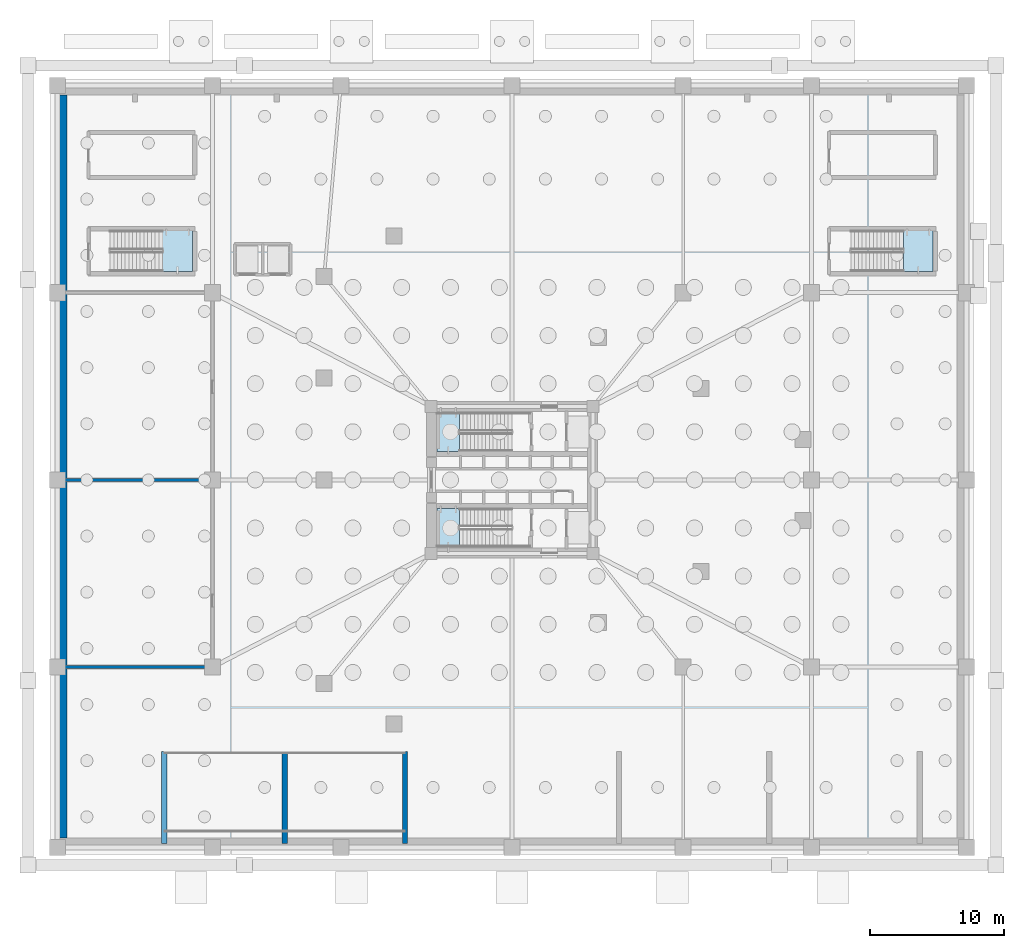
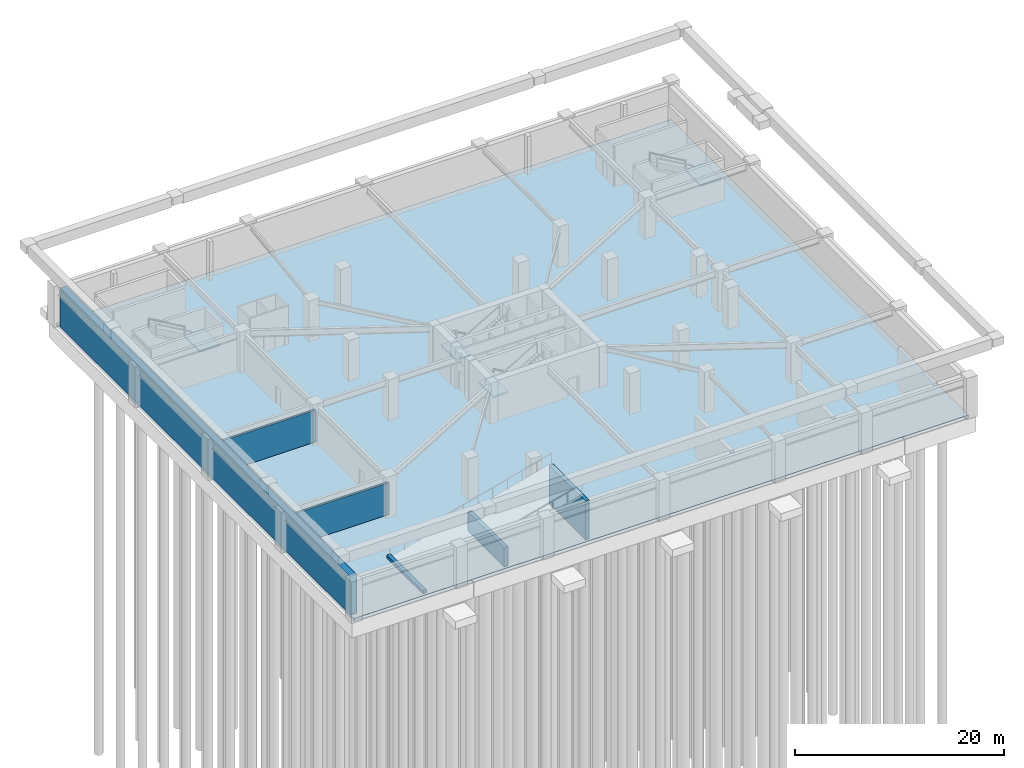
# One storey, part 4 of 14: 6 walls, 5 slabs, 4 elements without a shape of their own.
"""IFC4 building model written with IfcOpenShell, lengths in metres."""

from ifc_helpers import new_model, si_unit, direction, frame, frame_2d, origin, place, context, subcontext, project, spatial, polyline, rectangle, outline, extrude, material, layer, layer_set, type_object, element, aggregate, save


model = new_model("IFC4")

# Units and contexts
model_context = context("Model", 3, precision=1e-05, world=origin(), true_north=direction((0.0, 1.0)))
body_context = subcontext(model_context, "Body", "Model", "MODEL_VIEW")
ifc_project = project(units=[si_unit("LENGTHUNIT", "METRE"), si_unit("AREAUNIT", "SQUARE_METRE"), si_unit("VOLUMEUNIT", "CUBIC_METRE"), si_unit("PLANEANGLEUNIT", "RADIAN"), si_unit("MASSUNIT", "GRAM", prefix="KILO")], contexts=[model_context])

# Site, building, storey
site_placement = place(None, origin())
site = spatial("IfcSite", under=ifc_project, at=site_placement, CompositionType="ELEMENT")
building_placement = place(site_placement, origin())
building = spatial("IfcBuilding", under=site, at=building_placement, Name="Yunling Apex Tower", CompositionType="ELEMENT")
storey_placement = place(building_placement, frame((0.0, 0.0, -9.60009765625)))
storey = spatial("IfcBuildingStorey", under=building, at=storey_placement, Name="B02", CompositionType="ELEMENT", Elevation=-9.60009765625)

# Slab
ifc_material_1 = material(Name="Concrete C50", Category="concrete")
ifc_layer_1 = layer(ifc_material_1, 0.35009765625)
ifc_layer_set_1 = layer_set([ifc_layer_1], Name="Concrete C50")
slab_type_1 = type_object("IfcSlabType", Name="SL-BSM-1", PredefinedType="BASESLAB", material=ifc_layer_set_1)
slab_1_placement = place(storey_placement, frame((0.0, 0.0, -0.349853515625)))
element("IfcSlab", 1, at=slab_1_placement, inside=storey, type_object=slab_type_1, Name="B02 Structural Floor Slab", PredefinedType="BASESLAB", context=body_context, shape_type="SweptSolid", body=[
    extrude(outline(polyline([(-34.0, -27.5), (34.0, -27.5), (34.0, 29.5), (-34.0, 29.5), (-34.0, -27.5)])), origin(), (0.0, 0.0, 1.0), 0.349853515625),
])

# Stair, slab
ifc_material_2 = material(Name="Concrete C40", Category="concrete")
stair_type_1 = type_object("IfcStairType", Name="ST-TWR-1", PredefinedType="HALF_TURN_STAIR", material=ifc_material_2)
stair_1_placement = place(storey_placement, origin())
stair_1 = element("IfcStair", 2, at=stair_1_placement, inside=storey, type_object=stair_type_1, Name="B02 North Core Smokeproof Exit Stair ST-1", PredefinedType="HALF_TURN_STAIR")
ifc_layer_2 = layer(ifc_material_2, 0.195068359375)
ifc_layer_set_2 = layer_set([ifc_layer_2], Name="Concrete C40")
slab_type_2 = type_object("IfcSlabType", Name="SL-LND-1", PredefinedType="LANDING", material=ifc_layer_set_2)
slab_2_placement = place(storey_placement, frame((0.0, 0.0, 2.205078125)))
slab_2 = element("IfcSlab", 3, at=slab_2_placement, type_object=slab_type_2, Name="ST-1 landing 1", PredefinedType="LANDING", context=body_context, shape_type="SweptSolid", body=[
    extrude(outline(polyline([(-3.929931640625, 5.010009765625), (-5.60009765625, 5.010009765625), (-5.60009765625, 2.139892578125), (-3.929931640625, 2.139892578125), (-3.929931640625, 5.010009765625)])), origin(), (0.0, 0.0, 1.0), 0.195068359375),
])
aggregate(stair_1, [slab_2])

stair_2_placement = place(storey_placement, origin())
stair_2 = element("IfcStair", 4, at=stair_2_placement, inside=storey, type_object=stair_type_1, Name="B02 South Core Smokeproof Exit Stair ST-2", PredefinedType="HALF_TURN_STAIR")
slab_3_placement = place(storey_placement, frame((0.0, 0.0, 2.205078125)))
slab_3 = element("IfcSlab", 5, at=slab_3_placement, type_object=slab_type_2, Name="ST-2 landing 1", PredefinedType="LANDING", context=body_context, shape_type="SweptSolid", body=[
    extrude(outline(polyline([(-3.929931640625, -2.139892578125), (-5.60009765625, -2.139892578125), (-5.60009765625, -5.010009765625), (-3.929931640625, -5.010009765625), (-3.929931640625, -2.139892578125)])), origin(), (0.0, 0.0, 1.0), 0.195068359375),
])
aggregate(stair_2, [slab_3])

stair_type_2 = type_object("IfcStairType", Name="ST-POD-1", PredefinedType="HALF_TURN_STAIR", material=ifc_material_2)
stair_3_placement = place(storey_placement, origin())
stair_3 = element("IfcStair", 6, at=stair_3_placement, inside=storey, type_object=stair_type_2, Name="B02 West Podium Smokeproof Stair ST-P1", PredefinedType="HALF_TURN_STAIR")
slab_4_placement = place(storey_placement, frame((0.0, 0.0, 2.205078125)))
slab_4 = element("IfcSlab", 7, at=slab_4_placement, type_object=slab_type_2, Name="ST-P1 landing 1", PredefinedType="LANDING", context=body_context, shape_type="SweptSolid", body=[
    extrude(outline(polyline([(-26.1298828125, 15.60009765625), (-23.89990234375, 15.60009765625), (-23.89990234375, 18.64990234375), (-26.1298828125, 18.64990234375), (-26.1298828125, 15.60009765625)])), origin(), (0.0, 0.0, 1.0), 0.195068359375),
])
aggregate(stair_3, [slab_4])

stair_4_placement = place(storey_placement, origin())
stair_4 = element("IfcStair", 8, at=stair_4_placement, inside=storey, type_object=stair_type_2, Name="B02 East Podium Smokeproof Stair ST-P2", PredefinedType="HALF_TURN_STAIR")
slab_5_placement = place(storey_placement, frame((0.0, 0.0, 2.205078125)))
slab_5 = element("IfcSlab", 9, at=slab_5_placement, type_object=slab_type_2, Name="ST-P2 landing 1", PredefinedType="LANDING", context=body_context, shape_type="SweptSolid", body=[
    extrude(outline(polyline([(29.27001953125, 15.60009765625), (31.5, 15.60009765625), (31.5, 18.64990234375), (29.27001953125, 18.64990234375), (29.27001953125, 15.60009765625)])), origin(), (0.0, 0.0, 1.0), 0.195068359375),
])
aggregate(stair_4, [slab_5])

# Walls
ifc_layer_3 = layer(ifc_material_1, 0.699951171875)
ifc_layer_set_3 = layer_set([ifc_layer_3], Name="Concrete C50")
wall_type_1 = type_object("IfcWallType", Name="WL-BSM-1", PredefinedType="USERDEFINED", material=ifc_layer_set_3)
wall_1_placement = place(storey_placement, frame((-33.64990234375, -26.800048828125, 0.0), z_axis=(0.0, 0.0, 1.0), x_axis=(0.0, 1.0, 0.0)))
element("IfcWall", 10, at=wall_1_placement, inside=storey, type_object=wall_type_1, Name="B02 West Retaining Wall", ObjectType="RETAININGWALL", PredefinedType="USERDEFINED", context=body_context, shape_type="SweptSolid", body=[
    extrude(rectangle(XDim=55.60009765625, YDim=0.699951171875, at=frame_2d((27.800048828125, 0.0))), origin(), (0.0, 0.0, 1.0), 4.5400390625),
])
ifc_layer_4 = layer(ifc_material_1, 0.39990234375)
ifc_layer_set_4 = layer_set([ifc_layer_4], Name="Concrete C50")
wall_type_2 = type_object("IfcWallType", Name="WL-COR-5", PredefinedType="SHEAR", material=ifc_layer_set_4)
wall_2_placement = place(storey_placement, frame((-26.0, -27.199951171875, 0.0), z_axis=(0.0, 0.0, 1.0), x_axis=(0.0, 1.0, 0.0)))
element("IfcWall", 11, at=wall_2_placement, inside=storey, type_object=wall_type_2, Name="B02 Vehicle Ramp Bearing Wall LO", PredefinedType="SHEAR", context=body_context, shape_type="SweptSolid", body=[
    extrude(rectangle(XDim=6.89990234375, YDim=0.39990234375, at=frame_2d((3.449951171875, 0.0))), origin(), (0.0, 0.0, 1.0), 0.35009765625),
])
wall_3_placement = place(storey_placement, frame((-17.0, -27.199951171875, 0.0), z_axis=(0.0, 0.0, 1.0), x_axis=(0.0, 1.0, 0.0)))
element("IfcWall", 12, at=wall_3_placement, inside=storey, type_object=wall_type_2, Name="B02 Vehicle Ramp Bearing Wall MID", PredefinedType="SHEAR", context=body_context, shape_type="SweptSolid", body=[
    extrude(rectangle(XDim=6.89990234375, YDim=0.39990234375, at=frame_2d((3.449951171875, 0.0))), origin(), (0.0, 0.0, 1.0), 2.25),
])
wall_4_placement = place(storey_placement, frame((-8.0, -27.199951171875, 0.0), z_axis=(0.0, 0.0, 1.0), x_axis=(0.0, 1.0, 0.0)))
element("IfcWall", 13, at=wall_4_placement, inside=storey, type_object=wall_type_2, Name="B02 Vehicle Ramp Bearing Wall HI", PredefinedType="SHEAR", context=body_context, shape_type="SweptSolid", body=[
    extrude(rectangle(XDim=6.89990234375, YDim=0.39990234375, at=frame_2d((3.449951171875, 0.0))), origin(), (0.0, 0.0, 1.0), 4.5400390625),
])
ifc_material_3 = material(Name="Autoclaved aerated concrete masonry", Category="masonry")
ifc_layer_5 = layer(ifc_material_3, 0.219970703125)
ifc_layer_set_5 = layer_set([ifc_layer_5], Name="Autoclaved aerated concrete masonry")
wall_type_3 = type_object("IfcWallType", Name="WL-SHF-1", PredefinedType="PLUMBINGWALL", material=ifc_layer_set_5)
for number, where, z_axis, x_axis, name in (
    (14, (-33.699951171875, -14.0, 0.0), (0.0, 0.0, 1.0), (1.0, 0.0, 0.0), "WL-BMEP-S-B02"),
    (15, (-33.699951171875, 0.0, 0.0), (0.0, 0.0, 1.0), (1.0, 0.0, 0.0), "WL-BMEP-M-B02"),
):
    element("IfcWall", number, at=place(storey_placement, frame(where, z_axis=z_axis, x_axis=x_axis)), inside=storey, type_object=wall_type_3, Name=name, PredefinedType="PLUMBINGWALL", context=body_context, shape_type="SweptSolid", body=[
        extrude(rectangle(XDim=11.300048828125, YDim=0.219970703125, at=frame_2d((5.64990234375, 0.0))), origin(), (0.0, 0.0, 1.0), 3.72509765625),
    ])

save(model, "model.ifc")
